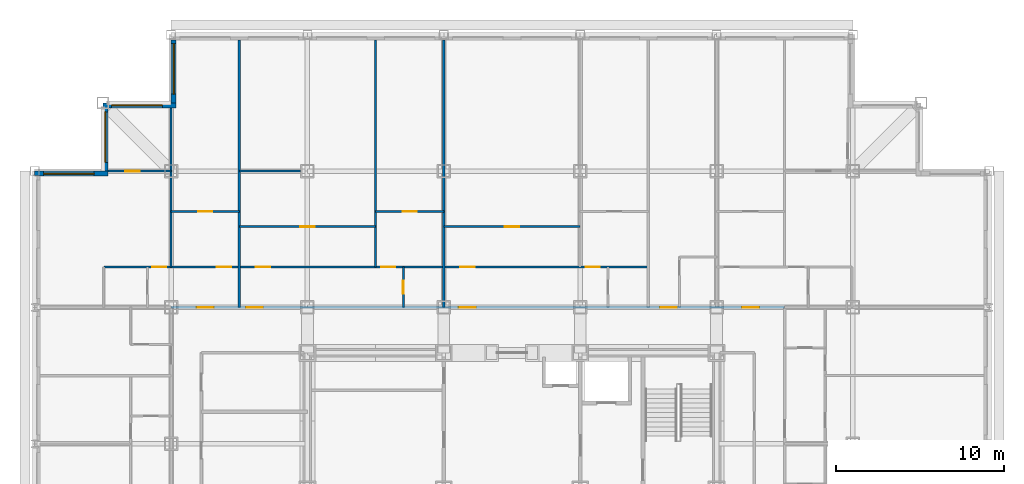
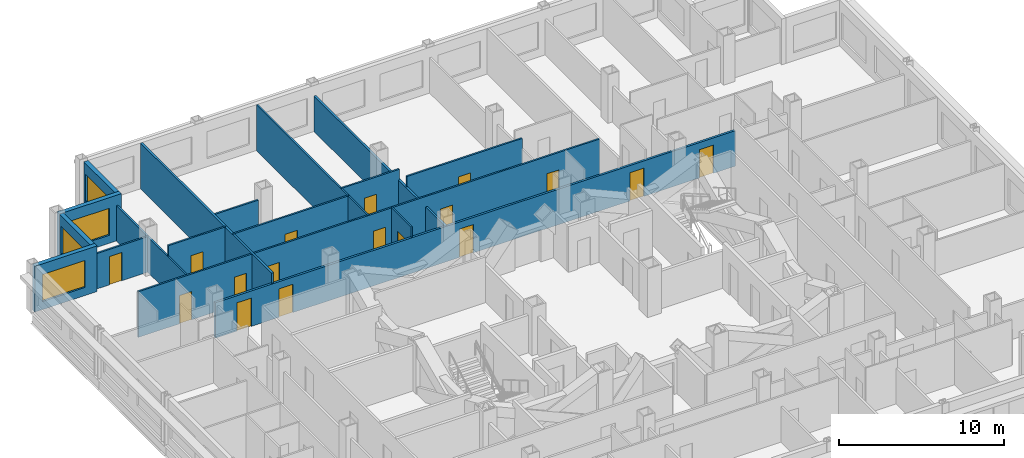
# One storey, part 9 of 12: 17 doors, 17 walls, 4 windows, 21 openings.
"""IFC4 building model written with IfcOpenShell, lengths in metres."""

from ifc_helpers import new_model, si_unit, direction, frame, frame_2d, origin, place, context, subcontext, project, spatial, rectangle, extrude, material, layer, layer_set, type_object, element, fill, save


model = new_model("IFC4")

# Units and contexts
model_context = context("Model", 3, precision=1e-05, world=origin(), true_north=direction((0.0, 1.0)))
body_context = subcontext(model_context, "Body", "Model", "MODEL_VIEW")
ifc_project = project(units=[si_unit("LENGTHUNIT", "METRE"), si_unit("AREAUNIT", "SQUARE_METRE"), si_unit("VOLUMEUNIT", "CUBIC_METRE"), si_unit("PLANEANGLEUNIT", "RADIAN"), si_unit("MASSUNIT", "GRAM", prefix="KILO")], contexts=[model_context])

# Site, building, storey
site_placement = place(None, origin())
site = spatial("IfcSite", under=ifc_project, at=site_placement, CompositionType="ELEMENT")
building_placement = place(site_placement, origin())
building = spatial("IfcBuilding", under=site, at=building_placement, Name="Kopane Lantern Tower", CompositionType="ELEMENT")
storey_placement = place(building_placement, frame((0.0, 0.0, 224.39990234375)))
storey = spatial("IfcBuildingStorey", under=building, at=storey_placement, Name="L58", CompositionType="ELEMENT", Elevation=224.39990234375)

# Wall
ifc_material_1 = material(Name="Gypsum board on steel studs", Category="steel")
ifc_layer_1 = layer(ifc_material_1, 0.1201171875)
ifc_layer_set_1 = layer_set([ifc_layer_1], Name="APARTMENT INTERNAL WALL 120")
wall_type_1 = type_object("IfcWallType", Name="APARTMENT INTERNAL WALL 120", PredefinedType="PARTITIONING", material=ifc_layer_set_1)
wall_1_placement = place(storey_placement, frame((20.25, 45.60009765625, 0.0), z_axis=(0.0, 0.0, 1.0), x_axis=(0.0, 1.0, 0.0)))
element("IfcWall", 1, at=wall_1_placement, inside=storey, type_object=wall_type_1, Name="Apartment Internal Wall 120 L58", PredefinedType="PARTITIONING", context=body_context, shape_type="SweptSolid", body=[
    extrude(rectangle(XDim=13.5, YDim=0.1201171875, at=frame_2d((6.75, 0.0))), origin(), (0.0, 0.0, 1.0), 3.39013671875),
])

# Wall, openings, doors
wall_2_placement = place(storey_placement, frame((4.10009765625, 45.60009765625, 0.0), z_axis=(0.0, 0.0, 1.0), x_axis=(1.0, 0.0, 0.0)))
wall_2 = element("IfcWall", 2, at=wall_2_placement, inside=storey, type_object=wall_type_1, Name="Apartment Internal Wall 120 L58", PredefinedType="PARTITIONING", context=body_context, shape_type="SweptSolid", body=[
    extrude(rectangle(XDim=32.349853515625, YDim=0.1201171875, at=frame_2d((16.1748046875, 0.0))), origin(), (0.0, 0.0, 1.0), 3.39013671875),
])
opening_1_placement = place(wall_2_placement, frame((9.02490234375, 0.0, 0.0)))
opening_1 = element("IfcOpeningElement", 3, at=opening_1_placement, cuts=wall_2, Name="Opening L58-024", PredefinedType="OPENING", context=body_context, shape_type="SweptSolid", body=[
    extrude(rectangle(XDim=0.85009765625, YDim=2.10009765625, at=frame_2d((0.425048828125, 1.050048828125))), frame((0.0, 0.070068359375, 0.0), z_axis=(0.0, -1.0, 0.0), x_axis=(1.0, 0.0, 0.0)), (0.0, 0.0, 1.0), 0.14013671875),
])
opening_2_placement = place(wall_2_placement, frame((16.47509765625, 0.0, 0.0)))
opening_2 = element("IfcOpeningElement", 4, at=opening_2_placement, cuts=wall_2, Name="Opening L58-025", PredefinedType="OPENING", context=body_context, shape_type="SweptSolid", body=[
    extrude(rectangle(XDim=0.85009765625, YDim=2.10009765625, at=frame_2d((0.425048828125, 1.050048828125))), frame((0.0, 0.070068359375, 0.0), z_axis=(0.0, -1.0, 0.0), x_axis=(1.0, 0.0, 0.0)), (0.0, 0.0, 1.0), 0.14013671875),
])
opening_3_placement = place(wall_2_placement, frame((21.175048828125, 0.0, 0.0)))
opening_3 = element("IfcOpeningElement", 5, at=opening_3_placement, cuts=wall_2, Name="Opening L58-028", PredefinedType="OPENING", context=body_context, shape_type="SweptSolid", body=[
    extrude(rectangle(XDim=0.85009765625, YDim=2.10009765625, at=frame_2d((0.425048828125, 1.050048828125))), frame((0.0, 0.070068359375, 0.0), z_axis=(0.0, -1.0, 0.0), x_axis=(1.0, 0.0, 0.0)), (0.0, 0.0, 1.0), 0.14013671875),
])
opening_4_placement = place(wall_2_placement, frame((28.625, 0.0, 0.0)))
opening_4 = element("IfcOpeningElement", 6, at=opening_4_placement, cuts=wall_2, Name="Opening L58-029", PredefinedType="OPENING", context=body_context, shape_type="SweptSolid", body=[
    extrude(rectangle(XDim=0.85009765625, YDim=2.10009765625, at=frame_2d((0.425048828125, 1.050048828125))), frame((0.0, 0.070068359375, 0.0), z_axis=(0.0, -1.0, 0.0), x_axis=(1.0, 0.0, 0.0)), (0.0, 0.0, 1.0), 0.14013671875),
])
opening_5_placement = place(wall_2_placement, frame((6.72509765625, 0.0, 0.0)))
opening_5 = element("IfcOpeningElement", 7, at=opening_5_placement, cuts=wall_2, Name="Opening L58-064", PredefinedType="OPENING", context=body_context, shape_type="SweptSolid", body=[
    extrude(rectangle(XDim=0.85009765625, YDim=2.10009765625, at=frame_2d((0.425048828125, 1.050048828125))), frame((0.0, 0.070068359375, 0.0), z_axis=(0.0, -1.0, 0.0), x_axis=(1.0, 0.0, 0.0)), (0.0, 0.0, 1.0), 0.14013671875),
])
opening_6_placement = place(wall_2_placement, frame((2.875, 0.0, 0.0)))
opening_6 = element("IfcOpeningElement", 8, at=opening_6_placement, cuts=wall_2, Name="Opening L58-066", PredefinedType="OPENING", context=body_context, shape_type="SweptSolid", body=[
    extrude(rectangle(XDim=0.85009765625, YDim=2.10009765625, at=frame_2d((0.425048828125, 1.050048828125))), frame((0.0, 0.070068359375, 0.0), z_axis=(0.0, -1.0, 0.0), x_axis=(1.0, 0.0, 0.0)), (0.0, 0.0, 1.0), 0.14013671875),
])
ifc_material_2 = material(Name="Timber door set", Category="wood")
door_type_1 = type_object("IfcDoorType", Name="DOOR D4 850x2100", OperationType="SINGLE_SWING_LEFT", PredefinedType="DOOR", material=ifc_material_2)
door_1_placement = place(opening_1_placement, origin())
door_1 = element("IfcDoor", 9, at=door_1_placement, inside=storey, type_object=door_type_1, Name="Door L58-024", OperationType="SINGLE_SWING_LEFT", OverallHeight=2.10009765625, OverallWidth=0.85009765625, PredefinedType="DOOR", context=body_context, shape_type="SweptSolid", body=[
    extrude(rectangle(XDim=0.85009765625, YDim=2.10009765625, at=frame_2d((0.425048828125, 1.050048828125))), frame((0.0, 0.02490234375, 0.0), z_axis=(0.0, -1.0, 0.0), x_axis=(1.0, 0.0, 0.0)), (0.0, 0.0, 1.0), 0.050048828125),
])
fill(opening_1, door_1)
door_2_placement = place(opening_2_placement, origin())
door_2 = element("IfcDoor", 10, at=door_2_placement, inside=storey, type_object=door_type_1, Name="Door L58-025", OperationType="SINGLE_SWING_LEFT", OverallHeight=2.10009765625, OverallWidth=0.85009765625, PredefinedType="DOOR", context=body_context, shape_type="SweptSolid", body=[
    extrude(rectangle(XDim=0.85009765625, YDim=2.10009765625, at=frame_2d((0.425048828125, 1.050048828125))), frame((0.0, 0.02490234375, 0.0), z_axis=(0.0, -1.0, 0.0), x_axis=(1.0, 0.0, 0.0)), (0.0, 0.0, 1.0), 0.050048828125),
])
fill(opening_2, door_2)
door_3_placement = place(opening_3_placement, origin())
door_3 = element("IfcDoor", 11, at=door_3_placement, inside=storey, type_object=door_type_1, Name="Door L58-028", OperationType="SINGLE_SWING_LEFT", OverallHeight=2.10009765625, OverallWidth=0.85009765625, PredefinedType="DOOR", context=body_context, shape_type="SweptSolid", body=[
    extrude(rectangle(XDim=0.85009765625, YDim=2.10009765625, at=frame_2d((0.425048828125, 1.050048828125))), frame((0.0, 0.02490234375, 0.0), z_axis=(0.0, -1.0, 0.0), x_axis=(1.0, 0.0, 0.0)), (0.0, 0.0, 1.0), 0.050048828125),
])
fill(opening_3, door_3)
door_4_placement = place(opening_4_placement, origin())
door_4 = element("IfcDoor", 12, at=door_4_placement, inside=storey, type_object=door_type_1, Name="Door L58-029", OperationType="SINGLE_SWING_LEFT", OverallHeight=2.10009765625, OverallWidth=0.85009765625, PredefinedType="DOOR", context=body_context, shape_type="SweptSolid", body=[
    extrude(rectangle(XDim=0.85009765625, YDim=2.10009765625, at=frame_2d((0.425048828125, 1.050048828125))), frame((0.0, 0.02490234375, 0.0), z_axis=(0.0, -1.0, 0.0), x_axis=(1.0, 0.0, 0.0)), (0.0, 0.0, 1.0), 0.050048828125),
])
fill(opening_4, door_4)
door_5_placement = place(opening_5_placement, origin())
door_5 = element("IfcDoor", 13, at=door_5_placement, inside=storey, type_object=door_type_1, Name="Door L58-064", OperationType="SINGLE_SWING_LEFT", OverallHeight=2.10009765625, OverallWidth=0.85009765625, PredefinedType="DOOR", context=body_context, shape_type="SweptSolid", body=[
    extrude(rectangle(XDim=0.85009765625, YDim=2.10009765625, at=frame_2d((0.425048828125, 1.050048828125))), frame((0.0, 0.02490234375, 0.0), z_axis=(0.0, -1.0, 0.0), x_axis=(1.0, 0.0, 0.0)), (0.0, 0.0, 1.0), 0.050048828125),
])
fill(opening_5, door_5)
door_6_placement = place(opening_6_placement, origin())
door_6 = element("IfcDoor", 14, at=door_6_placement, inside=storey, type_object=door_type_1, Name="Door L58-066", OperationType="SINGLE_SWING_RIGHT", OverallHeight=2.10009765625, OverallWidth=0.85009765625, PredefinedType="DOOR", context=body_context, shape_type="SweptSolid", body=[
    extrude(rectangle(XDim=0.85009765625, YDim=2.10009765625, at=frame_2d((0.425048828125, 1.050048828125))), frame((0.0, 0.02490234375, 0.0), z_axis=(0.0, -1.0, 0.0), x_axis=(1.0, 0.0, 0.0)), (0.0, 0.0, 1.0), 0.050048828125),
])
fill(opening_6, door_6)

# Wall
wall_3_placement = place(storey_placement, frame((8.10009765625, 45.60009765625, 0.0), z_axis=(0.0, 0.0, 1.0), x_axis=(0.0, 1.0, 0.0)))
element("IfcWall", 15, at=wall_3_placement, inside=storey, type_object=wall_type_1, Name="Apartment Internal Wall 120 L58", PredefinedType="PARTITIONING", context=body_context, shape_type="SweptSolid", body=[
    extrude(rectangle(XDim=9.449951171875, YDim=0.1201171875, at=frame_2d((4.72509765625, 0.0))), origin(), (0.0, 0.0, 1.0), 2.6279296875),
])

# Wall, opening, door
wall_4_placement = place(storey_placement, frame((8.10009765625, 51.300048828125, 0.0), z_axis=(0.0, 0.0, 1.0), x_axis=(-1.0, 0.0, 0.0)))
wall_4 = element("IfcWall", 16, at=wall_4_placement, inside=storey, type_object=wall_type_1, Name="Apartment Internal Wall 120 L58", PredefinedType="PARTITIONING", context=body_context, shape_type="SweptSolid", body=[
    extrude(rectangle(XDim=3.75, YDim=0.1201171875, at=frame_2d((1.875, 0.0))), origin(), (0.0, 0.0, 1.0), 2.6279296875),
])
opening_7_placement = place(wall_4_placement, frame((1.875, 0.0, 0.0)))
opening_7 = element("IfcOpeningElement", 17, at=opening_7_placement, cuts=wall_4, Name="Opening L58-067", PredefinedType="OPENING", context=body_context, shape_type="SweptSolid", body=[
    extrude(rectangle(XDim=0.85009765625, YDim=2.10009765625, at=frame_2d((0.425048828125, 1.050048828125))), frame((0.0, 0.070068359375, 0.0), z_axis=(0.0, -1.0, 0.0), x_axis=(1.0, 0.0, 0.0)), (0.0, 0.0, 1.0), 0.14013671875),
])
door_7_placement = place(opening_7_placement, origin())
door_7 = element("IfcDoor", 18, at=door_7_placement, inside=storey, type_object=door_type_1, Name="Door L58-067", OperationType="SINGLE_SWING_LEFT", OverallHeight=2.10009765625, OverallWidth=0.85009765625, PredefinedType="DOOR", context=body_context, shape_type="SweptSolid", body=[
    extrude(rectangle(XDim=0.85009765625, YDim=2.10009765625, at=frame_2d((0.425048828125, 1.050048828125))), frame((0.0, 0.02490234375, 0.0), z_axis=(0.0, -1.0, 0.0), x_axis=(1.0, 0.0, 0.0)), (0.0, 0.0, 1.0), 0.050048828125),
])
fill(opening_7, door_7)

wall_5_placement = place(storey_placement, frame((12.14990234375, 48.0, 0.0), z_axis=(0.0, 0.0, 1.0), x_axis=(1.0, 0.0, 0.0)))
wall_5 = element("IfcWall", 19, at=wall_5_placement, inside=storey, type_object=wall_type_1, Name="Apartment Internal Wall 120 L58", PredefinedType="PARTITIONING", context=body_context, shape_type="SweptSolid", body=[
    extrude(rectangle(XDim=8.10009765625, YDim=0.1201171875, at=frame_2d((4.050048828125, 0.0))), origin(), (0.0, 0.0, 1.0), 3.39013671875),
])
opening_8_placement = place(wall_5_placement, frame((3.625, 0.0, 0.0)))
opening_8 = element("IfcOpeningElement", 20, at=opening_8_placement, cuts=wall_5, Name="Opening L58-071", PredefinedType="OPENING", context=body_context, shape_type="SweptSolid", body=[
    extrude(rectangle(XDim=0.85009765625, YDim=2.10009765625, at=frame_2d((0.425048828125, 1.050048828125))), frame((0.0, 0.070068359375, 0.0), z_axis=(0.0, -1.0, 0.0), x_axis=(1.0, 0.0, 0.0)), (0.0, 0.0, 1.0), 0.14013671875),
])
door_8_placement = place(opening_8_placement, origin())
door_8 = element("IfcDoor", 21, at=door_8_placement, inside=storey, type_object=door_type_1, Name="Door L58-071", OperationType="SINGLE_SWING_RIGHT", OverallHeight=2.10009765625, OverallWidth=0.85009765625, PredefinedType="DOOR", context=body_context, shape_type="SweptSolid", body=[
    extrude(rectangle(XDim=0.85009765625, YDim=2.10009765625, at=frame_2d((0.425048828125, 1.050048828125))), frame((0.0, 0.02490234375, 0.0), z_axis=(0.0, -1.0, 0.0), x_axis=(1.0, 0.0, 0.0)), (0.0, 0.0, 1.0), 0.050048828125),
])
fill(opening_8, door_8)

wall_6_placement = place(storey_placement, frame((20.25, 48.89990234375, 0.0), z_axis=(0.0, 0.0, 1.0), x_axis=(1.0, 0.0, 0.0)))
wall_6 = element("IfcWall", 22, at=wall_6_placement, inside=storey, type_object=wall_type_1, Name="Apartment Internal Wall 120 L58", PredefinedType="PARTITIONING", context=body_context, shape_type="SweptSolid", body=[
    extrude(rectangle(XDim=4.050048828125, YDim=0.1201171875, at=frame_2d((2.02490234375, 0.0))), origin(), (0.0, 0.0, 1.0), 3.39013671875),
])
opening_9_placement = place(wall_6_placement, frame((1.60009765625, 0.0, 0.0)))
opening_9 = element("IfcOpeningElement", 23, at=opening_9_placement, cuts=wall_6, Name="Opening L58-072", PredefinedType="OPENING", context=body_context, shape_type="SweptSolid", body=[
    extrude(rectangle(XDim=0.85009765625, YDim=2.10009765625, at=frame_2d((0.425048828125, 1.050048828125))), frame((0.0, 0.070068359375, 0.0), z_axis=(0.0, -1.0, 0.0), x_axis=(1.0, 0.0, 0.0)), (0.0, 0.0, 1.0), 0.14013671875),
])
door_9_placement = place(opening_9_placement, origin())
door_9 = element("IfcDoor", 24, at=door_9_placement, inside=storey, type_object=door_type_1, Name="Door L58-072", OperationType="SINGLE_SWING_RIGHT", OverallHeight=2.10009765625, OverallWidth=0.85009765625, PredefinedType="DOOR", context=body_context, shape_type="SweptSolid", body=[
    extrude(rectangle(XDim=0.85009765625, YDim=2.10009765625, at=frame_2d((0.425048828125, 1.050048828125))), frame((0.0, 0.02490234375, 0.0), z_axis=(0.0, -1.0, 0.0), x_axis=(1.0, 0.0, 0.0)), (0.0, 0.0, 1.0), 0.050048828125),
])
fill(opening_9, door_9)

wall_7_placement = place(storey_placement, frame((24.300048828125, 48.0, 0.0), z_axis=(0.0, 0.0, 1.0), x_axis=(1.0, 0.0, 0.0)))
wall_7 = element("IfcWall", 25, at=wall_7_placement, inside=storey, type_object=wall_type_1, Name="Apartment Internal Wall 120 L58", PredefinedType="PARTITIONING", context=body_context, shape_type="SweptSolid", body=[
    extrude(rectangle(XDim=8.099853515625, YDim=0.1201171875, at=frame_2d((4.0498046875, 0.0))), origin(), (0.0, 0.0, 1.0), 3.39013671875),
])
opening_10_placement = place(wall_7_placement, frame((3.625, 0.0, 0.0)))
opening_10 = element("IfcOpeningElement", 26, at=opening_10_placement, cuts=wall_7, Name="Opening L58-073", PredefinedType="OPENING", context=body_context, shape_type="SweptSolid", body=[
    extrude(rectangle(XDim=0.85009765625, YDim=2.10009765625, at=frame_2d((0.425048828125, 1.050048828125))), frame((0.0, 0.070068359375, 0.0), z_axis=(0.0, -1.0, 0.0), x_axis=(1.0, 0.0, 0.0)), (0.0, 0.0, 1.0), 0.14013671875),
])
door_10_placement = place(opening_10_placement, origin())
door_10 = element("IfcDoor", 27, at=door_10_placement, inside=storey, type_object=door_type_1, Name="Door L58-073", OperationType="SINGLE_SWING_RIGHT", OverallHeight=2.10009765625, OverallWidth=0.85009765625, PredefinedType="DOOR", context=body_context, shape_type="SweptSolid", body=[
    extrude(rectangle(XDim=0.85009765625, YDim=2.10009765625, at=frame_2d((0.425048828125, 1.050048828125))), frame((0.0, 0.02490234375, 0.0), z_axis=(0.0, -1.0, 0.0), x_axis=(1.0, 0.0, 0.0)), (0.0, 0.0, 1.0), 0.050048828125),
])
fill(opening_10, door_10)

wall_8_placement = place(storey_placement, frame((8.10009765625, 48.89990234375, 0.0), z_axis=(0.0, 0.0, 1.0), x_axis=(1.0, 0.0, 0.0)))
wall_8 = element("IfcWall", 28, at=wall_8_placement, inside=storey, type_object=wall_type_1, Name="Apartment Internal Wall 120 L58", PredefinedType="PARTITIONING", context=body_context, shape_type="SweptSolid", body=[
    extrude(rectangle(XDim=4.0498046875, YDim=0.1201171875, at=frame_2d((2.02490234375, 0.0))), origin(), (0.0, 0.0, 1.0), 3.39013671875),
])
opening_11_placement = place(wall_8_placement, frame((1.60009765625, 0.0, 0.0)))
opening_11 = element("IfcOpeningElement", 29, at=opening_11_placement, cuts=wall_8, Name="Opening L58-076", PredefinedType="OPENING", context=body_context, shape_type="SweptSolid", body=[
    extrude(rectangle(XDim=0.85009765625, YDim=2.10009765625, at=frame_2d((0.425048828125, 1.050048828125))), frame((0.0, 0.070068359375, 0.0), z_axis=(0.0, -1.0, 0.0), x_axis=(1.0, 0.0, 0.0)), (0.0, 0.0, 1.0), 0.14013671875),
])
door_11_placement = place(opening_11_placement, origin())
door_11 = element("IfcDoor", 30, at=door_11_placement, inside=storey, type_object=door_type_1, Name="Door L58-076", OperationType="SINGLE_SWING_RIGHT", OverallHeight=2.10009765625, OverallWidth=0.85009765625, PredefinedType="DOOR", context=body_context, shape_type="SweptSolid", body=[
    extrude(rectangle(XDim=0.85009765625, YDim=2.10009765625, at=frame_2d((0.425048828125, 1.050048828125))), frame((0.0, 0.02490234375, 0.0), z_axis=(0.0, -1.0, 0.0), x_axis=(1.0, 0.0, 0.0)), (0.0, 0.0, 1.0), 0.050048828125),
])
fill(opening_11, door_11)

# Wall
wall_9_placement = place(storey_placement, frame((12.14990234375, 51.300048828125, 0.0), z_axis=(0.0, 0.0, 1.0), x_axis=(1.0, 0.0, 0.0)))
element("IfcWall", 31, at=wall_9_placement, inside=storey, type_object=wall_type_1, Name="Apartment Internal Wall 120 L58", PredefinedType="PARTITIONING", context=body_context, shape_type="SweptSolid", body=[
    extrude(rectangle(XDim=3.650146484375, YDim=0.1201171875, at=frame_2d((1.8251953125, 0.0))), origin(), (0.0, 0.0, 1.0), 2.6279296875),
])

# Wall, opening, door
ifc_material_3 = material(Name="Moisture-resistant board on steel studs", Category="steel")
ifc_layer_2 = layer(ifc_material_3, 0.10009765625)
ifc_layer_set_2 = layer_set([ifc_layer_2], Name="BATHROOM WALL 100")
wall_type_2 = type_object("IfcWallType", Name="BATHROOM WALL 100", PredefinedType="PARTITIONING", material=ifc_layer_set_2)
wall_10_placement = place(storey_placement, frame((21.89990234375, 43.199951171875, 0.0), z_axis=(0.0, 0.0, 1.0), x_axis=(0.0, 1.0, 0.0)))
wall_10 = element("IfcWall", 32, at=wall_10_placement, inside=storey, type_object=wall_type_2, Name="Bathroom Wall 100 L58", PredefinedType="PARTITIONING", context=body_context, shape_type="SweptSolid", body=[
    extrude(rectangle(XDim=2.400146484375, YDim=0.10009765625, at=frame_2d((1.2001953125, 0.0))), origin(), (0.0, 0.0, 1.0), 3.39013671875),
])
opening_12_placement = place(wall_10_placement, frame((0.800048828125, 0.0, 0.0)))
opening_12 = element("IfcOpeningElement", 33, at=opening_12_placement, cuts=wall_10, Name="Opening L58-022", PredefinedType="OPENING", context=body_context, shape_type="SweptSolid", body=[
    extrude(rectangle(XDim=0.800048828125, YDim=2.10009765625, at=frame_2d((0.39990234375, 1.050048828125))), frame((0.0, 0.06005859375, 0.0), z_axis=(0.0, -1.0, 0.0), x_axis=(1.0, 0.0, 0.0)), (0.0, 0.0, 1.0), 0.1201171875),
])
ifc_material_4 = material(Name="Timber door set", Category="wood")
door_type_2 = type_object("IfcDoorType", Name="DOOR D2 800x2100", OperationType="SINGLE_SWING_LEFT", PredefinedType="DOOR", material=ifc_material_4)
door_12_placement = place(opening_12_placement, origin())
door_12 = element("IfcDoor", 34, at=door_12_placement, inside=storey, type_object=door_type_2, Name="Door L58-022", OperationType="SINGLE_SWING_RIGHT", OverallHeight=2.10009765625, OverallWidth=0.800048828125, PredefinedType="DOOR", context=body_context, shape_type="SweptSolid", body=[
    extrude(rectangle(XDim=0.800048828125, YDim=2.10009765625, at=frame_2d((0.39990234375, 1.050048828125))), frame((0.0, 0.02490234375, 0.0), z_axis=(0.0, -1.0, 0.0), x_axis=(1.0, 0.0, 0.0)), (0.0, 0.0, 1.0), 0.050048828125),
])
fill(opening_12, door_12)

# Wall, openings, doors
ifc_material_5 = material(Name="Gypsum board on steel studs", Category="steel")
ifc_layer_3 = layer(ifc_material_5, 0.14990234375)
ifc_layer_set_3 = layer_set([ifc_layer_3], Name="CORRIDOR WALL 150 EI 60")
wall_type_3 = type_object("IfcWallType", Name="CORRIDOR WALL 150 EI 60", PredefinedType="PARTITIONING", material=ifc_layer_set_3)
wall_11_placement = place(storey_placement, frame((8.10009765625, 43.199951171875, 0.0), z_axis=(0.0, 0.0, 1.0), x_axis=(1.0, 0.0, 0.0)))
wall_11 = element("IfcWall", 35, at=wall_11_placement, inside=storey, type_object=wall_type_3, Name="Corridor Wall 150 Ei 60 L58", PredefinedType="PARTITIONING", context=body_context, shape_type="SweptSolid", body=[
    extrude(rectangle(XDim=36.449951171875, YDim=0.14990234375, at=frame_2d((18.22509765625, 0.0))), origin(), (0.0, 0.0, 1.0), 2.6279296875),
])
opening_13_placement = place(wall_11_placement, frame((4.449951171875, 0.0, 0.0)))
opening_13 = element("IfcOpeningElement", 36, at=opening_13_placement, cuts=wall_11, Name="Opening L58-023", PredefinedType="OPENING", context=body_context, shape_type="SweptSolid", body=[
    extrude(rectangle(XDim=1.0, YDim=2.10009765625, at=frame_2d((0.5, 1.050048828125))), frame((0.0, 0.0849609375, 0.0), z_axis=(0.0, -1.0, 0.0), x_axis=(1.0, 0.0, 0.0)), (0.0, 0.0, 1.0), 0.169921875),
])
opening_14_placement = place(wall_11_placement, frame((17.10009765625, 0.0, 0.0)))
opening_14 = element("IfcOpeningElement", 37, at=opening_14_placement, cuts=wall_11, Name="Opening L58-027", PredefinedType="OPENING", context=body_context, shape_type="SweptSolid", body=[
    extrude(rectangle(XDim=1.0, YDim=2.10009765625, at=frame_2d((0.5, 1.050048828125))), frame((0.0, 0.0849609375, 0.0), z_axis=(0.0, -1.0, 0.0), x_axis=(1.0, 0.0, 0.0)), (0.0, 0.0, 1.0), 0.169921875),
])
opening_15_placement = place(wall_11_placement, frame((29.050048828125, 0.0, 0.0)))
opening_15 = element("IfcOpeningElement", 38, at=opening_15_placement, cuts=wall_11, Name="Opening L58-031", PredefinedType="OPENING", context=body_context, shape_type="SweptSolid", body=[
    extrude(rectangle(XDim=1.0, YDim=2.10009765625, at=frame_2d((0.5, 1.050048828125))), frame((0.0, 0.0849609375, 0.0), z_axis=(0.0, -1.0, 0.0), x_axis=(1.0, 0.0, 0.0)), (0.0, 0.0, 1.0), 0.169921875),
])
opening_16_placement = place(wall_11_placement, frame((33.925048828125, 0.0, 0.0)))
opening_16 = element("IfcOpeningElement", 39, at=opening_16_placement, cuts=wall_11, Name="Opening L58-058", PredefinedType="OPENING", context=body_context, shape_type="SweptSolid", body=[
    extrude(rectangle(XDim=1.0, YDim=2.10009765625, at=frame_2d((0.5, 1.050048828125))), frame((0.0, 0.0849609375, 0.0), z_axis=(0.0, -1.0, 0.0), x_axis=(1.0, 0.0, 0.0)), (0.0, 0.0, 1.0), 0.169921875),
])
opening_17_placement = place(wall_11_placement, frame((1.52490234375, 0.0, 0.0)))
opening_17 = element("IfcOpeningElement", 40, at=opening_17_placement, cuts=wall_11, Name="Opening L58-063", PredefinedType="OPENING", context=body_context, shape_type="SweptSolid", body=[
    extrude(rectangle(XDim=1.0, YDim=2.10009765625, at=frame_2d((0.5, 1.050048828125))), frame((0.0, 0.0849609375, 0.0), z_axis=(0.0, -1.0, 0.0), x_axis=(1.0, 0.0, 0.0)), (0.0, 0.0, 1.0), 0.169921875),
])
ifc_material_6 = material(Name="Steel door set", Category="steel")
door_type_3 = type_object("IfcDoorType", Name="DOOR D3 1000x2100 FD30S", OperationType="SINGLE_SWING_LEFT", PredefinedType="DOOR", material=ifc_material_6)
door_13_placement = place(opening_13_placement, origin())
door_13 = element("IfcDoor", 41, at=door_13_placement, inside=storey, type_object=door_type_3, Name="Door L58-023", OperationType="SINGLE_SWING_LEFT", OverallHeight=2.10009765625, OverallWidth=1.0, PredefinedType="DOOR", context=body_context, shape_type="SweptSolid", body=[
    extrude(rectangle(XDim=1.0, YDim=2.10009765625, at=frame_2d((0.5, 1.050048828125))), frame((0.0, 0.02490234375, 0.0), z_axis=(0.0, -1.0, 0.0), x_axis=(1.0, 0.0, 0.0)), (0.0, 0.0, 1.0), 0.050048828125),
])
fill(opening_13, door_13)
door_14_placement = place(opening_14_placement, origin())
door_14 = element("IfcDoor", 42, at=door_14_placement, inside=storey, type_object=door_type_3, Name="Door L58-027", OperationType="SINGLE_SWING_LEFT", OverallHeight=2.10009765625, OverallWidth=1.0, PredefinedType="DOOR", context=body_context, shape_type="SweptSolid", body=[
    extrude(rectangle(XDim=1.0, YDim=2.10009765625, at=frame_2d((0.5, 1.050048828125))), frame((0.0, 0.02490234375, 0.0), z_axis=(0.0, -1.0, 0.0), x_axis=(1.0, 0.0, 0.0)), (0.0, 0.0, 1.0), 0.050048828125),
])
fill(opening_14, door_14)
door_15_placement = place(opening_15_placement, origin())
door_15 = element("IfcDoor", 43, at=door_15_placement, inside=storey, type_object=door_type_3, Name="Door L58-031", OperationType="SINGLE_SWING_RIGHT", OverallHeight=2.10009765625, OverallWidth=1.0, PredefinedType="DOOR", context=body_context, shape_type="SweptSolid", body=[
    extrude(rectangle(XDim=1.0, YDim=2.10009765625, at=frame_2d((0.5, 1.050048828125))), frame((0.0, 0.02490234375, 0.0), z_axis=(0.0, -1.0, 0.0), x_axis=(1.0, 0.0, 0.0)), (0.0, 0.0, 1.0), 0.050048828125),
])
fill(opening_15, door_15)
door_16_placement = place(opening_16_placement, origin())
door_16 = element("IfcDoor", 44, at=door_16_placement, inside=storey, type_object=door_type_3, Name="Door L58-058", OperationType="SINGLE_SWING_LEFT", OverallHeight=2.10009765625, OverallWidth=1.0, PredefinedType="DOOR", context=body_context, shape_type="SweptSolid", body=[
    extrude(rectangle(XDim=1.0, YDim=2.10009765625, at=frame_2d((0.5, 1.050048828125))), frame((0.0, 0.02490234375, 0.0), z_axis=(0.0, -1.0, 0.0), x_axis=(1.0, 0.0, 0.0)), (0.0, 0.0, 1.0), 0.050048828125),
])
fill(opening_16, door_16)
door_17_placement = place(opening_17_placement, origin())
door_17 = element("IfcDoor", 45, at=door_17_placement, inside=storey, type_object=door_type_3, Name="Door L58-063", OperationType="SINGLE_SWING_RIGHT", OverallHeight=2.10009765625, OverallWidth=1.0, PredefinedType="DOOR", context=body_context, shape_type="SweptSolid", body=[
    extrude(rectangle(XDim=1.0, YDim=2.10009765625, at=frame_2d((0.5, 1.050048828125))), frame((0.0, 0.02490234375, 0.0), z_axis=(0.0, -1.0, 0.0), x_axis=(1.0, 0.0, 0.0)), (0.0, 0.0, 1.0), 0.050048828125),
])
fill(opening_17, door_17)

# Walls
ifc_material_7 = material(Name="Gypsum board on steel studs", Category="steel")
ifc_layer_4 = layer(ifc_material_7, 0.14990234375)
ifc_layer_set_4 = layer_set([ifc_layer_4], Name="DEMISING WALL 150 EI 60")
wall_type_4 = type_object("IfcWallType", Name="DEMISING WALL 150 EI 60", PredefinedType="PARTITIONING", material=ifc_layer_set_4)
wall_12_placement = place(storey_placement, frame((24.300048828125, 43.199951171875, 0.0), z_axis=(0.0, 0.0, 1.0), x_axis=(0.0, 1.0, 0.0)))
element("IfcWall", 46, at=wall_12_placement, inside=storey, type_object=wall_type_4, Name="Demising Wall 150 Ei 60 L58", PredefinedType="PARTITIONING", context=body_context, shape_type="SweptSolid", body=[
    extrude(rectangle(XDim=15.900146484375, YDim=0.14990234375, at=frame_2d((7.9501953125, 0.0))), origin(), (0.0, 0.0, 1.0), 2.6279296875),
])
wall_13_placement = place(storey_placement, frame((12.14990234375, 43.199951171875, 0.0), z_axis=(0.0, 0.0, 1.0), x_axis=(0.0, 1.0, 0.0)))
element("IfcWall", 47, at=wall_13_placement, inside=storey, type_object=wall_type_4, Name="Demising Wall 150 Ei 60 L58", PredefinedType="PARTITIONING", context=body_context, shape_type="SweptSolid", body=[
    extrude(rectangle(XDim=15.900146484375, YDim=0.14990234375, at=frame_2d((7.9501953125, 0.0))), origin(), (0.0, 0.0, 1.0), 3.39013671875),
])

# Wall, opening, window
ifc_material_8 = material(Name="Terracotta rainscreen on light steel framing", Category="masonry")
ifc_layer_5 = layer(ifc_material_8, 0.300048828125)
ifc_layer_set_5 = layer_set([ifc_layer_5], Name="EXTERNAL WALL EW1 300 TERRACOTTA")
wall_type_5 = type_object("IfcWallType", Name="EXTERNAL WALL EW1 300 TERRACOTTA", PredefinedType="SOLIDWALL", material=ifc_layer_set_5)
wall_14_placement = place(storey_placement, frame((8.25, 59.10009765625, 0.0), z_axis=(0.0, 0.0, 1.0), x_axis=(0.0, -1.0, 0.0)))
wall_14 = element("IfcWall", 48, at=wall_14_placement, inside=storey, type_object=wall_type_5, Name="External wall W L58", PredefinedType="SOLIDWALL", context=body_context, shape_type="SweptSolid", body=[
    extrude(rectangle(XDim=3.75, YDim=0.300048828125, at=frame_2d((1.875, 0.0))), origin(), (0.0, 0.0, 1.0), 3.39013671875),
])
opening_18_placement = place(wall_14_placement, frame((0.22509765625, 0.0, 0.60009765625)))
opening_18 = element("IfcOpeningElement", 49, at=opening_18_placement, cuts=wall_14, Name="Opening WR300200", PredefinedType="OPENING", context=body_context, shape_type="SweptSolid", body=[
    extrude(rectangle(XDim=3.0, YDim=2.0, at=frame_2d((1.5, 1.0))), frame((0.0, 0.159912109375, 0.0), z_axis=(0.0, -1.0, 0.0), x_axis=(1.0, 0.0, 0.0)), (0.0, 0.0, 1.0), 0.320068359375),
])
ifc_material_9 = material(Name="Aluminium and clear glass", Category="aluminium")
window_type = type_object("IfcWindowType", Name="RIBBON WINDOW WR300200 3000x2000", PartitioningType="SINGLE_PANEL", PredefinedType="WINDOW", material=ifc_material_9)
window_1_placement = place(opening_18_placement, origin())
window_1 = element("IfcWindow", 50, at=window_1_placement, inside=storey, type_object=window_type, Name="Window W L58", OverallHeight=2.0, OverallWidth=3.0, PartitioningType="SINGLE_PANEL", PredefinedType="WINDOW", context=body_context, shape_type="SweptSolid", body=[
    extrude(rectangle(XDim=3.0, YDim=2.0, at=frame_2d((1.5, 1.0))), frame((0.0, 0.030029296875, 0.0), z_axis=(0.0, -1.0, 0.0), x_axis=(1.0, 0.0, 0.0)), (0.0, 0.0, 1.0), 0.06005859375),
])
fill(opening_18, window_1)

wall_15_placement = place(storey_placement, frame((8.39990234375, 55.199951171875, 0.0), z_axis=(0.0, 0.0, 1.0), x_axis=(-1.0, 0.0, 0.0)))
wall_15 = element("IfcWall", 51, at=wall_15_placement, inside=storey, type_object=wall_type_5, Name="External wall N L58", PredefinedType="SOLIDWALL", context=body_context, shape_type="SweptSolid", body=[
    extrude(rectangle(XDim=4.349853515625, YDim=0.300048828125, at=frame_2d((2.1748046875, 0.0))), origin(), (0.0, 0.0, 1.0), 3.39013671875),
])
opening_19_placement = place(wall_15_placement, frame((0.824951171875, 0.0, 0.60009765625)))
opening_19 = element("IfcOpeningElement", 52, at=opening_19_placement, cuts=wall_15, Name="Opening WR300200", PredefinedType="OPENING", context=body_context, shape_type="SweptSolid", body=[
    extrude(rectangle(XDim=3.0, YDim=2.0, at=frame_2d((1.5, 1.0))), frame((0.0, 0.159912109375, 0.0), z_axis=(0.0, -1.0, 0.0), x_axis=(1.0, 0.0, 0.0)), (0.0, 0.0, 1.0), 0.320068359375),
])
window_2_placement = place(opening_19_placement, origin())
window_2 = element("IfcWindow", 53, at=window_2_placement, inside=storey, type_object=window_type, Name="Window N L58", OverallHeight=2.0, OverallWidth=3.0, PartitioningType="SINGLE_PANEL", PredefinedType="WINDOW", context=body_context, shape_type="SweptSolid", body=[
    extrude(rectangle(XDim=3.0, YDim=2.0, at=frame_2d((1.5, 1.0))), frame((0.0, 0.030029296875, 0.0), z_axis=(0.0, -1.0, 0.0), x_axis=(1.0, 0.0, 0.0)), (0.0, 0.0, 1.0), 0.06005859375),
])
fill(opening_19, window_2)

wall_16_placement = place(storey_placement, frame((4.199951171875, 55.050048828125, 0.0), z_axis=(0.0, 0.0, 1.0), x_axis=(0.0, -1.0, 0.0)))
wall_16 = element("IfcWall", 54, at=wall_16_placement, inside=storey, type_object=wall_type_5, Name="External wall W L58", PredefinedType="SOLIDWALL", context=body_context, shape_type="SweptSolid", body=[
    extrude(rectangle(XDim=3.75, YDim=0.300048828125, at=frame_2d((1.875, 0.0))), origin(), (0.0, 0.0, 1.0), 3.39013671875),
])
opening_20_placement = place(wall_16_placement, frame((0.22509765625, 0.0, 0.60009765625)))
opening_20 = element("IfcOpeningElement", 55, at=opening_20_placement, cuts=wall_16, Name="Opening WR300200", PredefinedType="OPENING", context=body_context, shape_type="SweptSolid", body=[
    extrude(rectangle(XDim=3.0, YDim=2.0, at=frame_2d((1.5, 1.0))), frame((0.0, 0.159912109375, 0.0), z_axis=(0.0, -1.0, 0.0), x_axis=(1.0, 0.0, 0.0)), (0.0, 0.0, 1.0), 0.320068359375),
])
window_3_placement = place(opening_20_placement, origin())
window_3 = element("IfcWindow", 56, at=window_3_placement, inside=storey, type_object=window_type, Name="Window W L58", OverallHeight=2.0, OverallWidth=3.0, PartitioningType="SINGLE_PANEL", PredefinedType="WINDOW", context=body_context, shape_type="SweptSolid", body=[
    extrude(rectangle(XDim=3.0, YDim=2.0, at=frame_2d((1.5, 1.0))), frame((0.0, 0.030029296875, 0.0), z_axis=(0.0, -1.0, 0.0), x_axis=(1.0, 0.0, 0.0)), (0.0, 0.0, 1.0), 0.06005859375),
])
fill(opening_20, window_3)

wall_17_placement = place(storey_placement, frame((4.35009765625, 51.14990234375, 0.0), z_axis=(0.0, 0.0, 1.0), x_axis=(-1.0, 0.0, 0.0)))
wall_17 = element("IfcWall", 57, at=wall_17_placement, inside=storey, type_object=wall_type_5, Name="External wall N L58", PredefinedType="SOLIDWALL", context=body_context, shape_type="SweptSolid", body=[
    extrude(rectangle(XDim=4.35009765625, YDim=0.300048828125, at=frame_2d((2.175048828125, 0.0))), origin(), (0.0, 0.0, 1.0), 3.39013671875),
])
opening_21_placement = place(wall_17_placement, frame((0.824951171875, 0.0, 0.60009765625)))
opening_21 = element("IfcOpeningElement", 58, at=opening_21_placement, cuts=wall_17, Name="Opening WR300200", PredefinedType="OPENING", context=body_context, shape_type="SweptSolid", body=[
    extrude(rectangle(XDim=3.0, YDim=2.0, at=frame_2d((1.5, 1.0))), frame((0.0, 0.159912109375, 0.0), z_axis=(0.0, -1.0, 0.0), x_axis=(1.0, 0.0, 0.0)), (0.0, 0.0, 1.0), 0.320068359375),
])
window_4_placement = place(opening_21_placement, origin())
window_4 = element("IfcWindow", 59, at=window_4_placement, inside=storey, type_object=window_type, Name="Window N L58", OverallHeight=2.0, OverallWidth=3.0, PartitioningType="SINGLE_PANEL", PredefinedType="WINDOW", context=body_context, shape_type="SweptSolid", body=[
    extrude(rectangle(XDim=3.0, YDim=2.0, at=frame_2d((1.5, 1.0))), frame((0.0, 0.030029296875, 0.0), z_axis=(0.0, -1.0, 0.0), x_axis=(1.0, 0.0, 0.0)), (0.0, 0.0, 1.0), 0.06005859375),
])
fill(opening_21, window_4)

save(model, "model.ifc")
